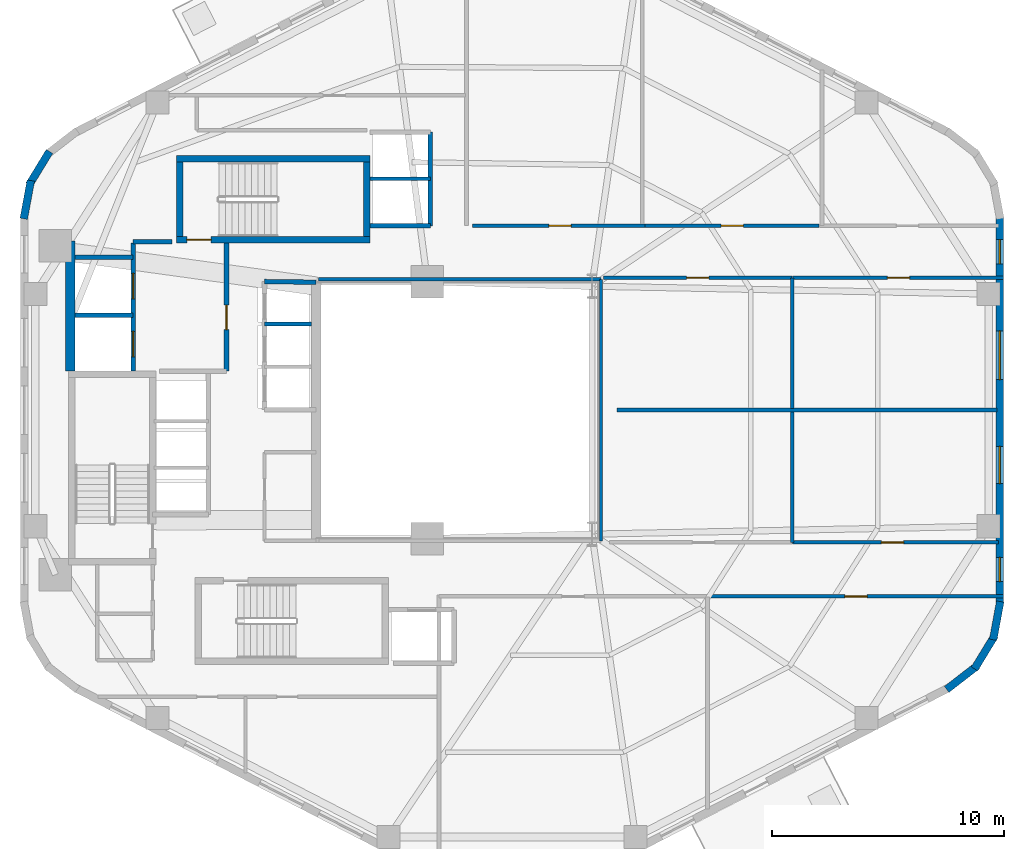
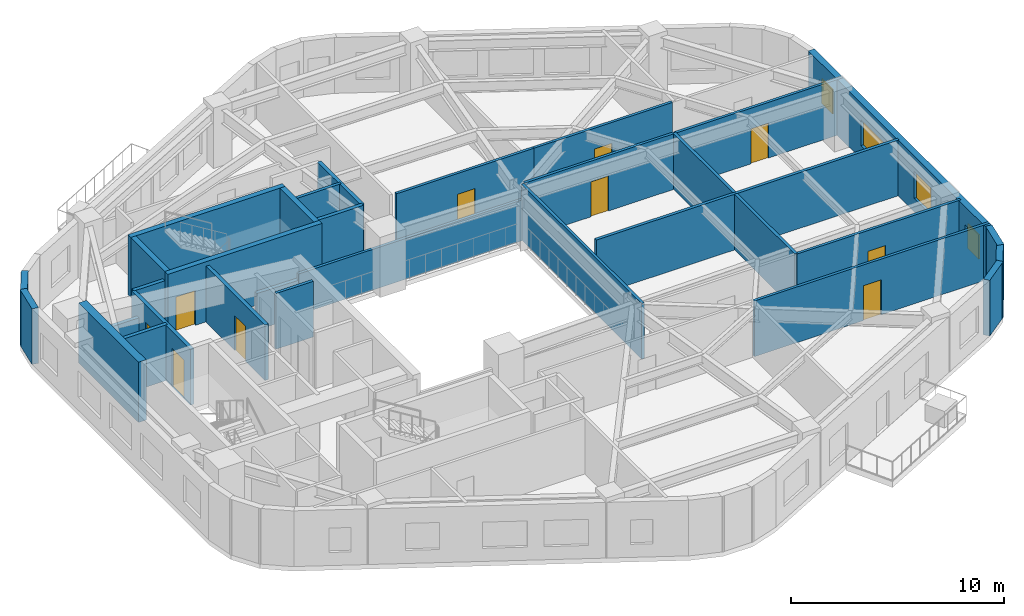
# One storey, part 4 of 8: 32 walls, 10 doors, 4 windows, 14 openings.
"""IFC4 building model written with IfcOpenShell, lengths in metres."""

import ifcopenshell
import ifcopenshell.guid

model = None  # the IFC model being written
_history = None  # IfcOwnerHistory: only IFC2X3 demands one
_inside = {}  # id of a spatial element -> (the spatial element, [elements in it])
_under = {}  # id of a project, library or spatial element -> (it, [spatial elements below it])
_declared = {}  # id of a project -> (the project, [libraries it declares])
_typed = {}  # id of a type object -> (the type object, [elements of that type])
_made_of = {}  # id of a material, layer set ... -> (it, [elements and type objects made of it])


def new_model(schema):
    """Start an empty IFC model of exactly this schema.

    Asked for "IFC4X3", IfcOpenShell would pick the latest addendum, in which some entities
    have other attributes; the version numbers below select the first issue.
    IFC2X3 requires an IfcOwnerHistory on every rooted entity: one is made here for all.
    """
    global model, _history
    if schema == "IFC4X3":
        model = ifcopenshell.file(schema_version=(4, 3, 0, 0))
    else:
        model = ifcopenshell.file(schema=schema)
    _inside.clear()
    _under.clear()
    _declared.clear()
    _typed.clear()
    _made_of.clear()
    _history = None
    if model.schema == "IFC2X3":
        org = make("IfcOrganization", Name="unknown")
        user = make(
            "IfcPersonAndOrganization",
            ThePerson=make("IfcPerson", FamilyName="unknown"),
            TheOrganization=org,
        )
        app = make(
            "IfcApplication",
            ApplicationDeveloper=org,
            Version="unknown",
            ApplicationFullName="unknown",
            ApplicationIdentifier="unknown",
        )
        _history = make(
            "IfcOwnerHistory",
            OwningUser=user,
            OwningApplication=app,
            ChangeAction="ADDED",
            CreationDate=0,
        )
    return model


def make(cls, **values):
    """One entity of the class cls with the attributes given. An attribute that is None is left unset."""
    return model.create_entity(
        cls, **{name: value for name, value in values.items() if value is not None}
    )


def rooted(cls, **values):
    """An entity with a GlobalId (a new one), such as an element, a storey or a relation."""
    return make(cls, GlobalId=ifcopenshell.guid.new(), OwnerHistory=_history, **values)


def si_unit(unit_type, name, prefix=None):
    """IfcSIUnit, for example si_unit("LENGTHUNIT", "METRE", prefix="MILLI")."""
    return make("IfcSIUnit", UnitType=unit_type, Prefix=prefix, Name=name)


def assignment(units):
    """IfcUnitAssignment: the units of a project."""
    return None if units is None else make("IfcUnitAssignment", Units=units)


def point(xyz):
    """IfcCartesianPoint."""
    return None if xyz is None else make("IfcCartesianPoint", Coordinates=xyz)


def direction(xyz):
    """IfcDirection."""
    return None if xyz is None else make("IfcDirection", DirectionRatios=xyz)


def frame(location, z_axis=None, x_axis=None):
    """IfcAxis2Placement3D, a coordinate frame: its origin and axes. An axis left out is left unset."""
    return make(
        "IfcAxis2Placement3D",
        Location=point(location),
        Axis=direction(z_axis),
        RefDirection=direction(x_axis),
    )


def frame_2d(location, x_axis=None):
    """IfcAxis2Placement2D, a coordinate frame in the plane: its origin and x axis."""
    return make(
        "IfcAxis2Placement2D", Location=point(location), RefDirection=direction(x_axis)
    )


def origin():
    """The frame at (0, 0, 0) with its axes left unset."""
    return frame((0.0, 0.0, 0.0))


def place(relative_to, where):
    """IfcLocalPlacement: puts the frame where relative to a parent placement (None: the world)."""
    return make(
        "IfcLocalPlacement", PlacementRelTo=relative_to, RelativePlacement=where
    )


def context(
    kind, dimensions, precision=None, world=None, true_north=None, identifier=None
):
    """IfcGeometricRepresentationContext, for example the 3D "Model" context."""
    return make(
        "IfcGeometricRepresentationContext",
        ContextIdentifier=identifier,
        ContextType=kind,
        CoordinateSpaceDimension=dimensions,
        Precision=precision,
        WorldCoordinateSystem=world,
        TrueNorth=true_north,
    )


def subcontext(parent, identifier, kind, view, scale=None):
    """IfcGeometricRepresentationSubContext, for example "Body" below "Model"."""
    return make(
        "IfcGeometricRepresentationSubContext",
        ContextIdentifier=identifier,
        ContextType=kind,
        ParentContext=parent,
        TargetScale=scale,
        TargetView=view,
    )


def project(units=None, contexts=None):
    """IfcProject with its units and contexts."""
    return rooted(
        "IfcProject",
        Name="project",
        RepresentationContexts=contexts,
        UnitsInContext=assignment(units),
    )


def spatial(cls, under=None, at=None, **own):
    """A site, building, storey or space (cls), placed at a placement, below another one or the project."""
    s = rooted(cls, ObjectPlacement=at, **own)
    if under is not None:
        _under.setdefault(under.id(), (under, []))[1].append(s)
    return s


def profile(cls, at=None, kind="AREA", **sizes):
    """A parametric profile (cls). Its sizes go by their IFC names, for example OverallWidth=200.0."""
    return make(cls, ProfileType=kind, Position=at, **sizes)


def rectangle(**sizes):
    """IfcRectangleProfileDef."""
    return profile("IfcRectangleProfileDef", **sizes)


def extrude(swept, where, along, depth):
    """IfcExtrudedAreaSolid: the profile swept, set in the frame where, extruded along a direction by depth."""
    return make(
        "IfcExtrudedAreaSolid",
        SweptArea=swept,
        Position=where,
        ExtrudedDirection=direction(along),
        Depth=depth,
    )


def shape(context_of_items, identifier, shape_type, items):
    """IfcShapeRepresentation: the items that make up one representation, for example the "Body"."""
    return make(
        "IfcShapeRepresentation",
        ContextOfItems=context_of_items,
        RepresentationIdentifier=identifier,
        RepresentationType=shape_type,
        Items=items,
    )


def material(Name=None, Category=None):
    """IfcMaterial."""
    return make("IfcMaterial", Name=Name, Category=Category)


def layer(
    of_material, thickness, ventilated=None, Name=None, Category=None, Priority=None
):
    """IfcMaterialLayer: one layer of a wall or slab, of a material (None: an air gap)."""
    return make(
        "IfcMaterialLayer",
        Material=of_material,
        LayerThickness=thickness,
        IsVentilated=ventilated,
        Name=Name,
        Category=Category,
        Priority=Priority,
    )


def layer_set(layers, Name=None):
    """IfcMaterialLayerSet."""
    return make("IfcMaterialLayerSet", MaterialLayers=layers, LayerSetName=Name)


def made_of(thing, what):
    """Note that an element or type object is made of a material, layer set ...; save() writes the relation."""
    if what is not None:
        _made_of.setdefault(what.id(), (what, []))[1].append(thing)
    return thing


def type_object(cls, material=None, **own):
    """A type object (cls), such as IfcWallType, which elements share."""
    return made_of(rooted(cls, **own), material)


def element(
    cls,
    number,
    at=None,
    inside=None,
    cuts=None,
    type_object=None,
    material=None,
    context=None,
    identifier="Body",
    shape_type=None,
    held_by="IfcProductDefinitionShape",
    body=None,
    shapes=None,
    **own,
):
    """One element of the class cls, such as IfcWall. Its Tag is "e" and its number.

    at: its placement. inside: the storey or other place that contains it. cuts: it is an
    opening in that element (IfcRelVoidsElement). A single representation is given by context,
    identifier, shape_type and body (its items); several are given by shapes. held_by: the class
    of the entity that holds the representations. save() writes the other relations.
    """
    e = rooted(cls, Tag="e%d" % number, ObjectPlacement=at, **own)
    if body is not None:
        shapes = [shape(context, identifier, shape_type, body)]
    if shapes is not None:
        e.Representation = make(held_by, Representations=shapes)
    if inside is not None:
        _inside.setdefault(inside.id(), (inside, []))[1].append(e)
    if cuts is not None:
        rooted(
            "IfcRelVoidsElement", RelatingBuildingElement=cuts, RelatedOpeningElement=e
        )
    if type_object is not None:
        _typed.setdefault(type_object.id(), (type_object, []))[1].append(e)
    return made_of(e, material)


def fill(opening, filler):
    """IfcRelFillsElement: the door or window that sits in an opening."""
    return rooted(
        "IfcRelFillsElement",
        RelatingOpeningElement=opening,
        RelatedBuildingElement=filler,
    )


def aggregate(whole, parts):
    """IfcRelAggregates: a whole, such as a stair, and the parts it consists of."""
    return rooted("IfcRelAggregates", RelatingObject=whole, RelatedObjects=parts)


def save(model, path):
    """Write the relations noted so far, then the file.

    IfcRelAggregates (storeys below a building ...), IfcRelContainedInSpatialStructure (elements
    in a storey), IfcRelDefinesByType, IfcRelAssociatesMaterial and IfcRelDeclares: one each for
    every whole, place, type object, material and project.
    """
    for whole, parts in _under.values():
        aggregate(whole, parts)
    for where, things in _inside.values():
        rooted(
            "IfcRelContainedInSpatialStructure",
            RelatedElements=things,
            RelatingStructure=where,
        )
    for kind, things in _typed.values():
        rooted("IfcRelDefinesByType", RelatedObjects=things, RelatingType=kind)
    for what, things in _made_of.values():
        rooted("IfcRelAssociatesMaterial", RelatedObjects=things, RelatingMaterial=what)
    for by, libraries in _declared.values():
        rooted("IfcRelDeclares", RelatingContext=by, RelatedDefinitions=libraries)
    model.write(path)


model = new_model("IFC4")

# Units and contexts
model_context = context("Model", 3, precision=1e-05, world=origin(), true_north=direction((0.0, 1.0)))
body_context = subcontext(model_context, "Body", "Model", "MODEL_VIEW")
ifc_project = project(units=[si_unit("LENGTHUNIT", "METRE"), si_unit("AREAUNIT", "SQUARE_METRE"), si_unit("VOLUMEUNIT", "CUBIC_METRE"), si_unit("PLANEANGLEUNIT", "RADIAN"), si_unit("MASSUNIT", "GRAM", prefix="KILO"), si_unit("THERMODYNAMICTEMPERATUREUNIT", "KELVIN"), si_unit("POWERUNIT", "WATT")], contexts=[model_context])

# Site, building, storey
site_placement = place(None, origin())
site = spatial("IfcSite", under=ifc_project, at=site_placement, CompositionType="ELEMENT")
building_placement = place(site_placement, origin())
building = spatial("IfcBuilding", under=site, at=building_placement, Name="Skarre Station Tower", CompositionType="ELEMENT")
storey_placement = place(building_placement, frame((0.0, 0.0, 153.300048828125)))
storey = spatial("IfcBuildingStorey", under=building, at=storey_placement, Name="L41", CompositionType="ELEMENT", Elevation=153.300048828125)

# Walls
ifc_material_1 = material(Name="Acoustic Steel-Stud Gypsum Partition", Category="steel")
ifc_layer_1 = layer(ifc_material_1, 0.14990234375, Name="Acoustic Steel-Stud Gypsum Partition")
ifc_layer_set_1 = layer_set([ifc_layer_1], Name="Acoustic Steel-Stud Gypsum Partition")
wall_type_1 = type_object("IfcWallType", Name="Fire-Rated Corridor Acoustic Partition 150", PredefinedType="PARTITIONING", material=ifc_layer_set_1)
wall_1_placement = place(storey_placement, frame((39.840087890625, 29.639892578125, 0.0), z_axis=(0.0, 0.0, 1.0), x_axis=(-1.0, 0.0, 0.0)))
element("IfcWall", 1, at=wall_1_placement, inside=storey, type_object=wall_type_1, Name="L41 Interior Partition WL-PT-L41-ATRW-N", PredefinedType="PARTITIONING", context=body_context, shape_type="SweptSolid", body=[
    extrude(rectangle(XDim=12.2001953125, YDim=0.14990234375, at=frame_2d((6.10009765625, 0.0))), origin(), (0.0, 0.0, 1.0), 2.3310546875),
])
wall_2_placement = place(storey_placement, frame((39.840087890625, 18.360107421875, 0.0), z_axis=(0.0, 0.0, 1.0), x_axis=(0.0, 1.0, 0.0)))
element("IfcWall", 2, at=wall_2_placement, inside=storey, type_object=wall_type_1, Name="L41 Interior Partition WL-PT-L41-ATRW-E", PredefinedType="PARTITIONING", context=body_context, shape_type="SweptSolid", body=[
    extrude(rectangle(XDim=11.27978515625, YDim=0.14990234375, at=frame_2d((5.639892578125, 0.0))), origin(), (0.0, 0.0, 1.0), 3.18994140625),
])

# Wall, opening, door
wall_3_placement = place(storey_placement, frame((41.737060546875, 31.9599609375, 0.0), z_axis=(0.0, 0.0, 1.0), x_axis=(-1.0, 0.0, 0.0)))
wall_3 = element("IfcWall", 3, at=wall_3_placement, inside=storey, type_object=wall_type_1, Name="L41 Interior Partition WL-PT-L41-NW1-CW", PredefinedType="PARTITIONING", context=body_context, shape_type="SweptSolid", body=[
    extrude(rectangle(XDim=7.447021484375, YDim=0.14990234375, at=frame_2d((3.7236328125, 0.0))), origin(), (0.0, 0.0, 1.0), 3.18994140625),
])
opening_1_placement = place(wall_3_placement, frame((3.18701171875, 0.0, 0.0)))
opening_1 = element("IfcOpeningElement", 4, at=opening_1_placement, cuts=wall_3, Name="Opening DR-FD60", PredefinedType="OPENING", context=body_context, shape_type="SweptSolid", body=[
    extrude(rectangle(XDim=0.9599609375, YDim=2.0, at=frame_2d((0.47998046875, 1.0))), frame((0.0, 0.0849609375, 0.0), z_axis=(0.0, -1.0, 0.0), x_axis=(1.0, 0.0, 0.0)), (0.0, 0.0, 1.0), 0.169921875),
])
ifc_material_2 = material(Name="Nordic White-Oak Veneer Solid-Core Fire Leaf", Category="wood")
door_type_1 = type_object("IfcDoorType", Name="Corridor Suite Entry Fire Door FD60 960x2150", OperationType="SINGLE_SWING_LEFT", PredefinedType="DOOR", material=ifc_material_2)
door_1_placement = place(opening_1_placement, origin())
door_1 = element("IfcDoor", 5, at=door_1_placement, inside=storey, type_object=door_type_1, Name="L41 NW1 Entry Door", OperationType="SINGLE_SWING_LEFT", OverallHeight=2.0, OverallWidth=0.9599609375, PredefinedType="DOOR", context=body_context, shape_type="SweptSolid", body=[
    extrude(rectangle(XDim=0.9599609375, YDim=2.0, at=frame_2d((0.47998046875, 1.0))), frame((0.0, 0.02490234375, 0.0), z_axis=(0.0, -1.0, 0.0), x_axis=(1.0, 0.0, 0.0)), (0.0, 0.0, 1.0), 0.050048828125),
])
fill(opening_1, door_1)

wall_4_placement = place(storey_placement, frame((49.2509765625, 31.9599609375, 0.0), z_axis=(0.0, 0.0, 1.0), x_axis=(-1.0, 0.0, 0.0)))
wall_4 = element("IfcWall", 6, at=wall_4_placement, inside=storey, type_object=wall_type_1, Name="L41 Interior Partition WL-PT-L41-NW2-CW", PredefinedType="PARTITIONING", context=body_context, shape_type="SweptSolid", body=[
    extrude(rectangle(XDim=7.50390625, YDim=0.14990234375, at=frame_2d((3.751953125, 0.0))), origin(), (0.0, 0.0, 1.0), 3.18994140625),
])
opening_2_placement = place(wall_4_placement, frame((3.27197265625, 0.0, 0.0)))
opening_2 = element("IfcOpeningElement", 7, at=opening_2_placement, cuts=wall_4, Name="Opening DR-FD60", PredefinedType="OPENING", context=body_context, shape_type="SweptSolid", body=[
    extrude(rectangle(XDim=0.9599609375, YDim=2.0, at=frame_2d((0.47998046875, 1.0))), frame((0.0, 0.0849609375, 0.0), z_axis=(0.0, -1.0, 0.0), x_axis=(1.0, 0.0, 0.0)), (0.0, 0.0, 1.0), 0.169921875),
])
door_2_placement = place(opening_2_placement, origin())
door_2 = element("IfcDoor", 8, at=door_2_placement, inside=storey, type_object=door_type_1, Name="L41 NW2 Entry Door", OperationType="SINGLE_SWING_LEFT", OverallHeight=2.0, OverallWidth=0.9599609375, PredefinedType="DOOR", context=body_context, shape_type="SweptSolid", body=[
    extrude(rectangle(XDim=0.9599609375, YDim=2.0, at=frame_2d((0.47998046875, 1.0))), frame((0.0, 0.02490234375, 0.0), z_axis=(0.0, -1.0, 0.0), x_axis=(1.0, 0.0, 0.0)), (0.0, 0.0, 1.0), 0.050048828125),
])
fill(opening_2, door_2)

wall_5_placement = place(storey_placement, frame((39.949951171875, 29.7099609375, 0.0), z_axis=(0.0, 0.0, 1.0), x_axis=(1.0, 0.0, 0.0)))
wall_5 = element("IfcWall", 9, at=wall_5_placement, inside=storey, type_object=wall_type_1, Name="L41 Interior Partition WL-PT-L41-EWN1-CW", PredefinedType="PARTITIONING", context=body_context, shape_type="SweptSolid", body=[
    extrude(rectangle(XDim=8.130126953125, YDim=0.14990234375, at=frame_2d((4.06494140625, 0.0))), origin(), (0.0, 0.0, 1.0), 3.18994140625),
])
opening_3_placement = place(wall_5_placement, frame((3.5849609375, 0.0, 0.0)))
opening_3 = element("IfcOpeningElement", 10, at=opening_3_placement, cuts=wall_5, Name="Opening DR-FD60", PredefinedType="OPENING", context=body_context, shape_type="SweptSolid", body=[
    extrude(rectangle(XDim=0.9599609375, YDim=2.0, at=frame_2d((0.47998046875, 1.0))), frame((0.0, 0.0849609375, 0.0), z_axis=(0.0, -1.0, 0.0), x_axis=(1.0, 0.0, 0.0)), (0.0, 0.0, 1.0), 0.169921875),
])
door_3_placement = place(opening_3_placement, origin())
door_3 = element("IfcDoor", 11, at=door_3_placement, inside=storey, type_object=door_type_1, Name="L41 EWN1 Entry Door", OperationType="SINGLE_SWING_LEFT", OverallHeight=2.0, OverallWidth=0.9599609375, PredefinedType="DOOR", context=body_context, shape_type="SweptSolid", body=[
    extrude(rectangle(XDim=0.9599609375, YDim=2.0, at=frame_2d((0.47998046875, 1.0))), frame((0.0, 0.02490234375, 0.0), z_axis=(0.0, -1.0, 0.0), x_axis=(1.0, 0.0, 0.0)), (0.0, 0.0, 1.0), 0.050048828125),
])
fill(opening_3, door_3)

wall_6_placement = place(storey_placement, frame((48.110107421875, 29.7099609375, 0.0), z_axis=(0.0, 0.0, 1.0), x_axis=(1.0, 0.0, 0.0)))
wall_6 = element("IfcWall", 12, at=wall_6_placement, inside=storey, type_object=wall_type_1, Name="L41 Interior Partition WL-PT-L41-EWN2-CW", PredefinedType="PARTITIONING", context=body_context, shape_type="SweptSolid", body=[
    extrude(rectangle(XDim=9.097900390625, YDim=0.14990234375, at=frame_2d((4.548828125, 0.0))), origin(), (0.0, 0.0, 1.0), 3.18994140625),
])
opening_4_placement = place(wall_6_placement, frame((4.083984375, 0.0, 0.0)))
opening_4 = element("IfcOpeningElement", 13, at=opening_4_placement, cuts=wall_6, Name="Opening DR-FD60", PredefinedType="OPENING", context=body_context, shape_type="SweptSolid", body=[
    extrude(rectangle(XDim=0.9599609375, YDim=2.0, at=frame_2d((0.47998046875, 1.0))), frame((0.0, 0.0849609375, 0.0), z_axis=(0.0, -1.0, 0.0), x_axis=(1.0, 0.0, 0.0)), (0.0, 0.0, 1.0), 0.169921875),
])
door_4_placement = place(opening_4_placement, origin())
door_4 = element("IfcDoor", 14, at=door_4_placement, inside=storey, type_object=door_type_1, Name="L41 EWN2 Entry Door", OperationType="SINGLE_SWING_LEFT", OverallHeight=2.0, OverallWidth=0.9599609375, PredefinedType="DOOR", context=body_context, shape_type="SweptSolid", body=[
    extrude(rectangle(XDim=0.9599609375, YDim=2.0, at=frame_2d((0.47998046875, 1.0))), frame((0.0, 0.02490234375, 0.0), z_axis=(0.0, -1.0, 0.0), x_axis=(1.0, 0.0, 0.0)), (0.0, 0.0, 1.0), 0.050048828125),
])
fill(opening_4, door_4)

wall_7_placement = place(storey_placement, frame((56.988037109375, 18.2900390625, 0.0), z_axis=(0.0, 0.0, 1.0), x_axis=(-1.0, 0.0, 0.0)))
wall_7 = element("IfcWall", 15, at=wall_7_placement, inside=storey, type_object=wall_type_1, Name="L41 Interior Partition WL-PT-L41-EWS2-CW", PredefinedType="PARTITIONING", context=body_context, shape_type="SweptSolid", body=[
    extrude(rectangle(XDim=8.887939453125, YDim=0.14990234375, at=frame_2d((4.44384765625, 0.0))), origin(), (0.0, 0.0, 1.0), 3.18994140625),
])
opening_5_placement = place(wall_7_placement, frame((4.083984375, 0.0, 0.0)))
opening_5 = element("IfcOpeningElement", 16, at=opening_5_placement, cuts=wall_7, Name="Opening DR-FD60", PredefinedType="OPENING", context=body_context, shape_type="SweptSolid", body=[
    extrude(rectangle(XDim=0.9599609375, YDim=2.0, at=frame_2d((0.47998046875, 1.0))), frame((0.0, 0.0849609375, 0.0), z_axis=(0.0, -1.0, 0.0), x_axis=(1.0, 0.0, 0.0)), (0.0, 0.0, 1.0), 0.169921875),
])
door_5_placement = place(opening_5_placement, origin())
door_5 = element("IfcDoor", 17, at=door_5_placement, inside=storey, type_object=door_type_1, Name="L41 EWS2 Entry Door", OperationType="SINGLE_SWING_LEFT", OverallHeight=2.0, OverallWidth=0.9599609375, PredefinedType="DOOR", context=body_context, shape_type="SweptSolid", body=[
    extrude(rectangle(XDim=0.9599609375, YDim=2.0, at=frame_2d((0.47998046875, 1.0))), frame((0.0, 0.02490234375, 0.0), z_axis=(0.0, -1.0, 0.0), x_axis=(1.0, 0.0, 0.0)), (0.0, 0.0, 1.0), 0.050048828125),
])
fill(opening_5, door_5)

wall_8_placement = place(storey_placement, frame((44.45703125, 15.9599609375, 0.0), z_axis=(0.0, 0.0, 1.0), x_axis=(1.0, 0.0, 0.0)))
wall_8 = element("IfcWall", 18, at=wall_8_placement, inside=storey, type_object=wall_type_1, Name="L41 Interior Partition WL-PT-L41-SW2-CW", PredefinedType="PARTITIONING", context=body_context, shape_type="SweptSolid", body=[
    extrude(rectangle(XDim=12.7509765625, YDim=0.14990234375, at=frame_2d((6.37548828125, 0.0))), origin(), (0.0, 0.0, 1.0), 3.18994140625),
])
opening_6_placement = place(wall_8_placement, frame((5.908935546875, 0.0, 0.0)))
opening_6 = element("IfcOpeningElement", 19, at=opening_6_placement, cuts=wall_8, Name="Opening DR-FD60", PredefinedType="OPENING", context=body_context, shape_type="SweptSolid", body=[
    extrude(rectangle(XDim=0.9599609375, YDim=2.0, at=frame_2d((0.47998046875, 1.0))), frame((0.0, 0.0849609375, 0.0), z_axis=(0.0, -1.0, 0.0), x_axis=(1.0, 0.0, 0.0)), (0.0, 0.0, 1.0), 0.169921875),
])
door_6_placement = place(opening_6_placement, origin())
door_6 = element("IfcDoor", 20, at=door_6_placement, inside=storey, type_object=door_type_1, Name="L41 SW2 Entry Door", OperationType="SINGLE_SWING_LEFT", OverallHeight=2.0, OverallWidth=0.9599609375, PredefinedType="DOOR", context=body_context, shape_type="SweptSolid", body=[
    extrude(rectangle(XDim=0.9599609375, YDim=2.0, at=frame_2d((0.47998046875, 1.0))), frame((0.0, 0.02490234375, 0.0), z_axis=(0.0, -1.0, 0.0), x_axis=(1.0, 0.0, 0.0)), (0.0, 0.0, 1.0), 0.050048828125),
])
fill(opening_6, door_6)

# Wall, openings, windows
ifc_material_3 = material(Name="Precast concrete C45/55", Category="concrete")
ifc_layer_2 = layer(ifc_material_3, 0.340087890625, Name="Precast concrete C45/55")
ifc_layer_set_2 = layer_set([ifc_layer_2], Name="Precast concrete C45/55")
wall_type_2 = type_object("IfcWallType", Name="Nordic Honed Precast Facet Wall 340", PredefinedType="STANDARD", material=ifc_layer_set_2)
wall_9_placement = place(storey_placement, frame((57.048095703125, 32.35205078125, 0.0), z_axis=(0.0, 0.0, 1.0), x_axis=(0.0, -1.0, 0.0)))
wall_9 = element("IfcWall", 21, at=wall_9_placement, inside=storey, type_object=wall_type_2, Name="L41 Facet 5 Nordic Precast Masonry Wall", PredefinedType="STANDARD", context=body_context, shape_type="SweptSolid", body=[
    extrude(rectangle(XDim=16.7041015625, YDim=0.340087890625, at=frame_2d((8.35205078125, 0.0))), origin(), (0.0, 0.0, 1.0), 3.18994140625),
])
opening_7_placement = place(wall_9_placement, frame((0.991943359375, 0.0, 0.75)))
opening_7 = element("IfcOpeningElement", 22, at=opening_7_placement, cuts=wall_9, Name="Opening WN-SLT", PredefinedType="OPENING", context=body_context, shape_type="SweptSolid", body=[
    extrude(rectangle(XDim=1.050048828125, YDim=1.39990234375, at=frame_2d((0.52490234375, 0.699951171875))), frame((0.0, 0.179931640625, 0.0), z_axis=(0.0, -1.0, 0.0), x_axis=(1.0, 0.0, 0.0)), (0.0, 0.0, 1.0), 0.360107421875),
])
opening_8_placement = place(wall_9_placement, frame((4.93505859375, 0.0, 0.75)))
opening_8 = element("IfcOpeningElement", 23, at=opening_8_placement, cuts=wall_9, Name="Opening WN-Z2B", PredefinedType="OPENING", context=body_context, shape_type="SweptSolid", body=[
    extrude(rectangle(XDim=2.10009765625, YDim=1.5, at=frame_2d((1.050048828125, 0.75))), frame((0.0, 0.179931640625, 0.0), z_axis=(0.0, -1.0, 0.0), x_axis=(1.0, 0.0, 0.0)), (0.0, 0.0, 1.0), 0.360107421875),
])
opening_9_placement = place(wall_9_placement, frame((9.9189453125, 0.0, 0.75)))
opening_9 = element("IfcOpeningElement", 24, at=opening_9_placement, cuts=wall_9, Name="Opening WN-Z2A", PredefinedType="OPENING", context=body_context, shape_type="SweptSolid", body=[
    extrude(rectangle(XDim=1.60009765625, YDim=1.550048828125, at=frame_2d((0.800048828125, 0.77490234375))), frame((0.0, 0.179931640625, 0.0), z_axis=(0.0, -1.0, 0.0), x_axis=(1.0, 0.0, 0.0)), (0.0, 0.0, 1.0), 0.360107421875),
])
opening_10_placement = place(wall_9_placement, frame((14.701904296875, 0.0, 0.75)))
opening_10 = element("IfcOpeningElement", 25, at=opening_10_placement, cuts=wall_9, Name="Opening WN-SLT", PredefinedType="OPENING", context=body_context, shape_type="SweptSolid", body=[
    extrude(rectangle(XDim=1.050048828125, YDim=1.39990234375, at=frame_2d((0.52490234375, 0.699951171875))), frame((0.0, 0.179931640625, 0.0), z_axis=(0.0, -1.0, 0.0), x_axis=(1.0, 0.0, 0.0)), (0.0, 0.0, 1.0), 0.360107421875),
])
ifc_material_4 = material(Name="Low-Iron Triple Glazing with Bronze Anodized Frame", Category="glass")
window_type_1 = type_object("IfcWindowType", Name="Nordic Corner Slot Window 1050x1400", PartitioningType="SINGLE_PANEL", PredefinedType="WINDOW", material=ifc_material_4)
window_1_placement = place(opening_7_placement, origin())
window_1 = element("IfcWindow", 26, at=window_1_placement, inside=storey, type_object=window_type_1, Name="L41 Facade Window WL-FAC-L41-F5-1", OverallHeight=1.39990234375, OverallWidth=1.050048828125, PartitioningType="SINGLE_PANEL", PredefinedType="WINDOW", context=body_context, shape_type="SweptSolid", body=[
    extrude(rectangle(XDim=1.050048828125, YDim=1.39990234375, at=frame_2d((0.52490234375, 0.699951171875))), frame((0.0, 0.030029296875, 0.0), z_axis=(0.0, -1.0, 0.0), x_axis=(1.0, 0.0, 0.0)), (0.0, 0.0, 1.0), 0.06005859375),
])
fill(opening_7, window_1)
window_2_placement = place(opening_10_placement, origin())
window_2 = element("IfcWindow", 27, at=window_2_placement, inside=storey, type_object=window_type_1, Name="L41 Facade Window WL-FAC-L41-F5-4", OverallHeight=1.39990234375, OverallWidth=1.050048828125, PartitioningType="SINGLE_PANEL", PredefinedType="WINDOW", context=body_context, shape_type="SweptSolid", body=[
    extrude(rectangle(XDim=1.050048828125, YDim=1.39990234375, at=frame_2d((0.52490234375, 0.699951171875))), frame((0.0, 0.030029296875, 0.0), z_axis=(0.0, -1.0, 0.0), x_axis=(1.0, 0.0, 0.0)), (0.0, 0.0, 1.0), 0.06005859375),
])
fill(opening_10, window_2)
window_type_2 = type_object("IfcWindowType", Name="Nordic Residential Tall Window 1600x1550", PartitioningType="SINGLE_PANEL", PredefinedType="WINDOW", material=ifc_material_4)
window_3_placement = place(opening_9_placement, origin())
window_3 = element("IfcWindow", 28, at=window_3_placement, inside=storey, type_object=window_type_2, Name="L41 Facade Window WL-FAC-L41-F5-3", OverallHeight=1.550048828125, OverallWidth=1.60009765625, PartitioningType="SINGLE_PANEL", PredefinedType="WINDOW", context=body_context, shape_type="SweptSolid", body=[
    extrude(rectangle(XDim=1.60009765625, YDim=1.550048828125, at=frame_2d((0.800048828125, 0.77490234375))), frame((0.0, 0.030029296875, 0.0), z_axis=(0.0, -1.0, 0.0), x_axis=(1.0, 0.0, 0.0)), (0.0, 0.0, 1.0), 0.06005859375),
])
fill(opening_9, window_3)
window_type_3 = type_object("IfcWindowType", Name="Nordic Residential Twin Window 2100x1500", PartitioningType="SINGLE_PANEL", PredefinedType="WINDOW", material=ifc_material_4)
window_4_placement = place(opening_8_placement, origin())
window_4 = element("IfcWindow", 29, at=window_4_placement, inside=storey, type_object=window_type_3, Name="L41 Facade Window WL-FAC-L41-F5-2", OverallHeight=1.5, OverallWidth=2.10009765625, PartitioningType="SINGLE_PANEL", PredefinedType="WINDOW", context=body_context, shape_type="SweptSolid", body=[
    extrude(rectangle(XDim=2.10009765625, YDim=1.5, at=frame_2d((1.050048828125, 0.75))), frame((0.0, 0.030029296875, 0.0), z_axis=(0.0, -1.0, 0.0), x_axis=(1.0, 0.0, 0.0)), (0.0, 0.0, 1.0), 0.06005859375),
])
fill(opening_8, window_4)

# Walls
ifc_layer_3 = layer(ifc_material_3, 0.330078125, Name="Precast concrete C45/55")
ifc_layer_set_3 = layer_set([ifc_layer_3], Name="Precast concrete C45/55")
wall_type_3 = type_object("IfcWallType", Name="Nordic Rounded Corner Precast Wall 330", PredefinedType="STANDARD", material=ifc_layer_set_3)
wall_10_placement = place(storey_placement, frame((14.931884765625, 32.258056640625, 0.0), z_axis=(0.0, 0.0, 1.0), x_axis=(0.181984991895, 0.983301308209, 0.0)))
element("IfcWall", 30, at=wall_10_placement, inside=storey, type_object=wall_type_3, Name="L41 Rounded Corner Precast Wall F2-1", PredefinedType="STANDARD", context=body_context, shape_type="SweptSolid", body=[
    extrude(rectangle(XDim=1.677001953125, YDim=0.330078125, at=frame_2d((0.83837890625, 0.0))), origin(), (0.0, 0.0, 1.0), 3.18994140625),
])
wall_11_placement = place(storey_placement, frame((15.169921875, 33.73193359375, 0.0), z_axis=(0.0, 0.0, 1.0), x_axis=(0.520519429557, 0.853849824883, 0.0)))
element("IfcWall", 31, at=wall_11_placement, inside=storey, type_object=wall_type_3, Name="L41 Rounded Corner Precast Wall F2-2", PredefinedType="STANDARD", context=body_context, shape_type="SweptSolid", body=[
    extrude(rectangle(XDim=1.67724609375, YDim=0.330078125, at=frame_2d((0.838623046875, 0.0))), origin(), (0.0, 0.0, 1.0), 3.18994140625),
])
wall_12_placement = place(storey_placement, frame((57.068115234375, 15.741943359375, 0.0), z_axis=(0.0, 0.0, 1.0), x_axis=(-0.181984991895, -0.983301308209, 0.0)))
element("IfcWall", 32, at=wall_12_placement, inside=storey, type_object=wall_type_3, Name="L41 Rounded Corner Precast Wall F5-1", PredefinedType="STANDARD", context=body_context, shape_type="SweptSolid", body=[
    extrude(rectangle(XDim=1.677001953125, YDim=0.330078125, at=frame_2d((0.83837890625, 0.0))), origin(), (0.0, 0.0, 1.0), 3.18994140625),
])
wall_13_placement = place(storey_placement, frame((56.830078125, 14.26806640625, 0.0), z_axis=(0.0, 0.0, 1.0), x_axis=(-0.520519429557, -0.853849824883, 0.0)))
element("IfcWall", 33, at=wall_13_placement, inside=storey, type_object=wall_type_3, Name="L41 Rounded Corner Precast Wall F5-2", PredefinedType="STANDARD", context=body_context, shape_type="SweptSolid", body=[
    extrude(rectangle(XDim=1.67724609375, YDim=0.330078125, at=frame_2d((0.838623046875, 0.0))), origin(), (0.0, 0.0, 1.0), 3.18994140625),
])
wall_14_placement = place(storey_placement, frame((56.08203125, 12.97607421875, 0.0), z_axis=(0.0, 0.0, 1.0), x_axis=(-0.790621329885, -0.612305408053, 0.0)))
element("IfcWall", 34, at=wall_14_placement, inside=storey, type_object=wall_type_3, Name="L41 Rounded Corner Precast Wall F5-3", PredefinedType="STANDARD", context=body_context, shape_type="SweptSolid", body=[
    extrude(rectangle(XDim=1.67578125, YDim=0.330078125, at=frame_2d((0.837890625, 0.0))), origin(), (0.0, 0.0, 1.0), 3.18994140625),
])

# Wall, opening, door
ifc_material_5 = material(Name="Concrete C50/60", Category="concrete")
ifc_layer_4 = layer(ifc_material_5, 0.280029296875, Name="Concrete C50/60")
ifc_layer_set_4 = layer_set([ifc_layer_4], Name="Concrete C50/60")
wall_type_4 = type_object("IfcWallType", Name="RC Core Shear Wall 280", PredefinedType="SHEAR", material=ifc_layer_set_4)
wall_15_placement = place(storey_placement, frame((21.52001953125, 31.360107421875, 0.0), z_axis=(0.0, 0.0, 1.0), x_axis=(1.0, 0.0, 0.0)))
wall_15 = element("IfcWall", 35, at=wall_15_placement, inside=storey, type_object=wall_type_4, Name="L41 Stair ST-3 South Shear Wall", PredefinedType="SHEAR", context=body_context, shape_type="SweptSolid", body=[
    extrude(rectangle(XDim=8.35986328125, YDim=0.280029296875, at=frame_2d((4.179931640625, 0.0))), origin(), (0.0, 0.0, 1.0), 3.449951171875),
])
opening_11_placement = place(wall_15_placement, frame((0.449951171875, 0.0, 0.0)))
opening_11 = element("IfcOpeningElement", 36, at=opening_11_placement, cuts=wall_15, Name="Opening DR-FD90", PredefinedType="OPENING", context=body_context, shape_type="SweptSolid", body=[
    extrude(rectangle(XDim=1.050048828125, YDim=2.0, at=frame_2d((0.52490234375, 1.0))), frame((0.0, 0.14990234375, 0.0), z_axis=(0.0, -1.0, 0.0), x_axis=(1.0, 0.0, 0.0)), (0.0, 0.0, 1.0), 0.300048828125),
])
ifc_material_6 = material(Name="Fire-Rated Insulated Steel Frame & Timber Core Leaf", Category="steel")
door_type_2 = type_object("IfcDoorType", Name="Stair & FSAE Lobby Fire Door FD90 1050x2150", OperationType="SINGLE_SWING_RIGHT", PredefinedType="DOOR", material=ifc_material_6)
door_7_placement = place(opening_11_placement, origin())
door_7 = element("IfcDoor", 37, at=door_7_placement, inside=storey, type_object=door_type_2, Name="L41 Stair ST-3 & FSAE Lobby Direct Exit Door", OperationType="SINGLE_SWING_LEFT", OverallHeight=2.0, OverallWidth=1.050048828125, PredefinedType="DOOR", context=body_context, shape_type="SweptSolid", body=[
    extrude(rectangle(XDim=1.050048828125, YDim=2.0, at=frame_2d((0.52490234375, 1.0))), frame((0.0, 0.02490234375, 0.0), z_axis=(0.0, -1.0, 0.0), x_axis=(1.0, 0.0, 0.0)), (0.0, 0.0, 1.0), 0.050048828125),
])
fill(opening_11, door_7)

# Walls
wall_16_placement = place(storey_placement, frame((29.8798828125, 34.840087890625, 0.0), z_axis=(0.0, 0.0, 1.0), x_axis=(-1.0, 0.0, 0.0)))
element("IfcWall", 38, at=wall_16_placement, inside=storey, type_object=wall_type_4, Name="L41 Stair ST-3 North Shear Wall", PredefinedType="SHEAR", context=body_context, shape_type="SweptSolid", body=[
    extrude(rectangle(XDim=8.35986328125, YDim=0.280029296875, at=frame_2d((4.179931640625, 0.0))), origin(), (0.0, 0.0, 1.0), 3.449951171875),
])
for number, where, z_axis, x_axis, name in (
    (39, (21.659912109375, 34.699951171875, 0.0), (0.0, 0.0, 1.0), (0.0, -1.0, 0.0), "L41 Stair ST-3 West Shear Wall"),
    (40, (29.739990234375, 31.5, 0.0), (0.0, 0.0, 1.0), (0.0, 1.0, 0.0), "L41 Stair ST-3 East Shear Wall"),
):
    element("IfcWall", number, at=place(storey_placement, frame(where, z_axis=z_axis, x_axis=x_axis)), inside=storey, type_object=wall_type_4, Name=name, PredefinedType="SHEAR", context=body_context, shape_type="SweptSolid", body=[
        extrude(rectangle(XDim=3.199951171875, YDim=0.280029296875, at=frame_2d((1.60009765625, 0.0))), origin(), (0.0, 0.0, 1.0), 3.449951171875),
    ])
ifc_material_7 = material(Name="Concrete C60/75", Category="concrete")
ifc_layer_5 = layer(ifc_material_7, 0.419921875, Name="Concrete C60/75")
ifc_layer_set_5 = layer_set([ifc_layer_5], Name="Concrete C60/75")
wall_type_5 = type_object("IfcWallType", Name="RC Core Shear Wall 420", PredefinedType="SHEAR", material=ifc_layer_set_5)
wall_17_placement = place(storey_placement, frame((16.93994140625, 25.679931640625, 0.0), z_axis=(0.0, 0.0, 1.0), x_axis=(0.0, 1.0, 0.0)))
element("IfcWall", 41, at=wall_17_placement, inside=storey, type_object=wall_type_5, Name="L41 Core West-North Shear Wall", PredefinedType="SHEAR", context=body_context, shape_type="SweptSolid", body=[
    extrude(rectangle(XDim=5.6201171875, YDim=0.419921875, at=frame_2d((2.81005859375, 0.0))), origin(), (0.0, 0.0, 1.0), 3.449951171875),
])

# Wall, openings, doors
ifc_material_8 = material(Name="Gypsum Concrete Shaft Assembly C30/37", Category="concrete")
ifc_layer_6 = layer(ifc_material_8, 0.199951171875, Name="Gypsum Concrete Shaft Assembly C30/37")
ifc_layer_set_6 = layer_set([ifc_layer_6], Name="Gypsum Concrete Shaft Assembly C30/37")
wall_type_6 = type_object("IfcWallType", Name="Shaft & Core Fire Partition 200", PredefinedType="PARTITIONING", material=ifc_layer_set_6)
wall_18_placement = place(storey_placement, frame((19.64990234375, 25.679931640625, 0.0), z_axis=(0.0, 0.0, 1.0), x_axis=(0.0, 1.0, 0.0)))
wall_18 = element("IfcWall", 42, at=wall_18_placement, inside=storey, type_object=wall_type_6, Name="L41 Interior Partition WL-PT-L41-FSAE-W", PredefinedType="PARTITIONING", context=body_context, shape_type="SweptSolid", body=[
    extrude(rectangle(XDim=5.5400390625, YDim=0.199951171875, at=frame_2d((2.77001953125, 0.0))), origin(), (0.0, 0.0, 1.0), 3.18994140625),
])
opening_12_placement = place(wall_18_placement, frame((0.6201171875, 0.0, 0.0)))
opening_12 = element("IfcOpeningElement", 43, at=opening_12_placement, cuts=wall_18, Name="Opening LD-FF1", PredefinedType="OPENING", context=body_context, shape_type="SweptSolid", body=[
    extrude(rectangle(XDim=1.10009765625, YDim=2.199951171875, at=frame_2d((0.550048828125, 1.10009765625))), frame((0.0, 0.10986328125, 0.0), z_axis=(0.0, -1.0, 0.0), x_axis=(1.0, 0.0, 0.0)), (0.0, 0.0, 1.0), 0.219970703125),
])
opening_13_placement = place(wall_18_placement, frame((3.1201171875, 0.0, 0.0)))
opening_13 = element("IfcOpeningElement", 44, at=opening_13_placement, cuts=wall_18, Name="Opening LD-FF2", PredefinedType="OPENING", context=body_context, shape_type="SweptSolid", body=[
    extrude(rectangle(XDim=1.10009765625, YDim=2.199951171875, at=frame_2d((0.550048828125, 1.10009765625))), frame((0.0, 0.10986328125, 0.0), z_axis=(0.0, -1.0, 0.0), x_axis=(1.0, 0.0, 0.0)), (0.0, 0.0, 1.0), 0.219970703125),
])
ifc_material_9 = material(Name="Fire-Rated Stainless Steel Grade 316L Sliding Leaves", Category="steel")
door_type_3 = type_object("IfcDoorType", Name="Fire Service Access Elevator Sliding Landing Door 1100x2200", OperationType="SLIDING_TO_LEFT", PredefinedType="DOOR", material=ifc_material_9)
door_8_placement = place(opening_12_placement, origin())
door_8 = element("IfcDoor", 45, at=door_8_placement, inside=storey, type_object=door_type_3, Name="L41 Firefighting Lift LF-FF1 Landing Door", OperationType="SLIDING_TO_LEFT", OverallHeight=2.199951171875, OverallWidth=1.10009765625, PredefinedType="DOOR", context=body_context, shape_type="SweptSolid", body=[
    extrude(rectangle(XDim=1.10009765625, YDim=2.199951171875, at=frame_2d((0.550048828125, 1.10009765625))), frame((0.0, 0.02490234375, 0.0), z_axis=(0.0, -1.0, 0.0), x_axis=(1.0, 0.0, 0.0)), (0.0, 0.0, 1.0), 0.050048828125),
])
fill(opening_12, door_8)
door_9_placement = place(opening_13_placement, origin())
door_9 = element("IfcDoor", 46, at=door_9_placement, inside=storey, type_object=door_type_3, Name="L41 Firefighting Lift LF-FF2 Landing Door", OperationType="SLIDING_TO_LEFT", OverallHeight=2.199951171875, OverallWidth=1.10009765625, PredefinedType="DOOR", context=body_context, shape_type="SweptSolid", body=[
    extrude(rectangle(XDim=1.10009765625, YDim=2.199951171875, at=frame_2d((0.550048828125, 1.10009765625))), frame((0.0, 0.02490234375, 0.0), z_axis=(0.0, -1.0, 0.0), x_axis=(1.0, 0.0, 0.0)), (0.0, 0.0, 1.0), 0.050048828125),
])
fill(opening_13, door_9)

# Wall, opening, door
wall_19_placement = place(storey_placement, frame((23.679931640625, 25.679931640625, 0.0), z_axis=(0.0, 0.0, 1.0), x_axis=(0.0, 1.0, 0.0)))
wall_19 = element("IfcWall", 47, at=wall_19_placement, inside=storey, type_object=wall_type_6, Name="L41 Interior Partition WL-PT-L41-FSAE-E", PredefinedType="PARTITIONING", context=body_context, shape_type="SweptSolid", body=[
    extrude(rectangle(XDim=5.5400390625, YDim=0.199951171875, at=frame_2d((2.77001953125, 0.0))), origin(), (0.0, 0.0, 1.0), 3.18994140625),
])
opening_14_placement = place(wall_19_placement, frame((1.800048828125, 0.0, 0.0)))
opening_14 = element("IfcOpeningElement", 48, at=opening_14_placement, cuts=wall_19, Name="Opening DR-FD90", PredefinedType="OPENING", context=body_context, shape_type="SweptSolid", body=[
    extrude(rectangle(XDim=1.050048828125, YDim=2.0, at=frame_2d((0.52490234375, 1.0))), frame((0.0, 0.10986328125, 0.0), z_axis=(0.0, -1.0, 0.0), x_axis=(1.0, 0.0, 0.0)), (0.0, 0.0, 1.0), 0.219970703125),
])
door_10_placement = place(opening_14_placement, origin())
door_10 = element("IfcDoor", 49, at=door_10_placement, inside=storey, type_object=door_type_2, Name="L41 FSAE Lobby Fire Door", OperationType="SINGLE_SWING_RIGHT", OverallHeight=2.0, OverallWidth=1.050048828125, PredefinedType="DOOR", context=body_context, shape_type="SweptSolid", body=[
    extrude(rectangle(XDim=1.050048828125, YDim=2.0, at=frame_2d((0.52490234375, 1.0))), frame((0.0, 0.02490234375, 0.0), z_axis=(0.0, -1.0, 0.0), x_axis=(1.0, 0.0, 0.0)), (0.0, 0.0, 1.0), 0.050048828125),
])
fill(opening_14, door_10)

# Walls
wall_20_placement = place(storey_placement, frame((21.330078125, 31.260009765625, 0.0), z_axis=(0.0, 0.0, 1.0), x_axis=(-1.0, 0.0, 0.0)))
element("IfcWall", 50, at=wall_20_placement, inside=storey, type_object=wall_type_6, Name="L41 Interior Partition WL-PT-L41-FSAE-N", PredefinedType="PARTITIONING", context=body_context, shape_type="SweptSolid", body=[
    extrude(rectangle(XDim=1.68017578125, YDim=0.199951171875, at=frame_2d((0.840087890625, 0.0))), origin(), (0.0, 0.0, 1.0), 3.18994140625),
])
wall_21_placement = place(storey_placement, frame((17.14990234375, 28.10009765625, 0.0), z_axis=(0.0, 0.0, 1.0), x_axis=(1.0, 0.0, 0.0)))
element("IfcWall", 51, at=wall_21_placement, inside=storey, type_object=wall_type_6, Name="L41 Interior Partition WL-PT-L41-FF-DIV", PredefinedType="PARTITIONING", context=body_context, shape_type="SweptSolid", body=[
    extrude(rectangle(XDim=2.5, YDim=0.199951171875, at=frame_2d((1.25, 0.0))), origin(), (0.0, 0.0, 1.0), 3.18994140625),
])
wall_22_placement = place(storey_placement, frame((19.64990234375, 30.60009765625, 0.0), z_axis=(0.0, 0.0, 1.0), x_axis=(-1.0, 0.0, 0.0)))
element("IfcWall", 52, at=wall_22_placement, inside=storey, type_object=wall_type_6, Name="L41 Interior Partition WL-PT-L41-FF-N", PredefinedType="PARTITIONING", context=body_context, shape_type="SweptSolid", body=[
    extrude(rectangle(XDim=2.5, YDim=0.199951171875, at=frame_2d((1.25, 0.0))), origin(), (0.0, 0.0, 1.0), 2.08984375),
])
wall_23_placement = place(storey_placement, frame((32.47998046875, 31.949951171875, 0.0), z_axis=(0.0, 0.0, 1.0), x_axis=(0.0, 1.0, 0.0)))
element("IfcWall", 53, at=wall_23_placement, inside=storey, type_object=wall_type_6, Name="L41 Interior Partition WL-PT-L41-EX-E", PredefinedType="PARTITIONING", context=body_context, shape_type="SweptSolid", body=[
    extrude(rectangle(XDim=4.050048828125, YDim=0.199951171875, at=frame_2d((2.02490234375, 0.0))), origin(), (0.0, 0.0, 1.0), 3.18994140625),
])
wall_24_placement = place(storey_placement, frame((32.47998046875, 31.949951171875, 0.0), z_axis=(0.0, 0.0, 1.0), x_axis=(-1.0, 0.0, 0.0)))
element("IfcWall", 54, at=wall_24_placement, inside=storey, type_object=wall_type_6, Name="L41 Interior Partition WL-PT-L41-EX-S", PredefinedType="PARTITIONING", context=body_context, shape_type="SweptSolid", body=[
    extrude(rectangle(XDim=2.60009765625, YDim=0.199951171875, at=frame_2d((1.300048828125, 0.0))), origin(), (0.0, 0.0, 1.0), 3.18994140625),
])
wall_25_placement = place(storey_placement, frame((29.875, 33.97998046875, 0.0), z_axis=(0.0, 0.0, 1.0), x_axis=(1.0, 0.0, 0.0)))
element("IfcWall", 55, at=wall_25_placement, inside=storey, type_object=wall_type_6, Name="L41 Interior Partition WL-PT-L41-EX-DIV", PredefinedType="PARTITIONING", context=body_context, shape_type="SweptSolid", body=[
    extrude(rectangle(XDim=2.60498046875, YDim=0.159912109375, at=frame_2d((1.302490234375, 0.0))), origin(), (0.0, 0.0, 1.0), 3.18994140625),
])
wall_26_placement = place(storey_placement, frame((27.550048828125, 29.52001953125, 0.0), z_axis=(0.0, 0.0, 1.0), x_axis=(-0.999909343457, 0.013464949556, 0.0)))
element("IfcWall", 56, at=wall_26_placement, inside=storey, type_object=wall_type_6, Name="L41 Interior Partition WL-PT-L41-B2-N", PredefinedType="PARTITIONING", context=body_context, shape_type="SweptSolid", body=[
    extrude(rectangle(XDim=2.230224609375, YDim=0.199951171875, at=frame_2d((1.115234375, 0.0))), origin(), (0.0, 0.0, 1.0), 2.08984375),
])
wall_27_placement = place(storey_placement, frame((25.320068359375, 27.719970703125, 0.0), z_axis=(0.0, 0.0, 1.0), x_axis=(1.0, 0.0, 0.0)))
element("IfcWall", 57, at=wall_27_placement, inside=storey, type_object=wall_type_6, Name="L41 Interior Partition WL-PT-L41-B2-D277", PredefinedType="PARTITIONING", context=body_context, shape_type="SweptSolid", body=[
    extrude(rectangle(XDim=2.030029296875, YDim=0.159912109375, at=frame_2d((1.01513671875, 0.0))), origin(), (0.0, 0.0, 1.0), 3.18994140625),
])
ifc_layer_7 = layer(ifc_material_1, 0.1650390625, Name="Acoustic Steel-Stud Gypsum Partition")
ifc_layer_set_7 = layer_set([ifc_layer_7], Name="Acoustic Steel-Stud Gypsum Partition")
wall_type_7 = type_object("IfcWallType", Name="Suite Demising Acoustic Partition 165", PredefinedType="PARTITIONING", material=ifc_layer_set_7)
wall_28_placement = place(storey_placement, frame((40.52001953125, 24.0, 0.0), z_axis=(0.0, 0.0, 1.0), x_axis=(1.0, 0.0, 0.0)))
element("IfcWall", 58, at=wall_28_placement, inside=storey, type_object=wall_type_7, Name="L41 Interior Partition WL-PT-L41-EW-Z2MID", PredefinedType="PARTITIONING", context=body_context, shape_type="SweptSolid", body=[
    extrude(rectangle(XDim=16.407958984375, YDim=0.1650390625, at=frame_2d((8.2041015625, 0.0))), origin(), (0.0, 0.0, 1.0), 3.18994140625),
])
for number, where, z_axis, x_axis, name in (
    (59, (48.094970703125, 24.070068359375, 0.0), (0.0, 0.0, 1.0), (0.0, 1.0, 0.0), "L41 Interior Partition WL-PT-L41-EWN-P1"),
    (60, (48.094970703125, 18.2900390625, 0.0), (0.0, 0.0, 1.0), (0.0, 1.0, 0.0), "L41 Interior Partition WL-PT-L41-EWS-P1"),
):
    element("IfcWall", number, at=place(storey_placement, frame(where, z_axis=z_axis, x_axis=x_axis)), inside=storey, type_object=wall_type_7, Name=name, PredefinedType="PARTITIONING", context=body_context, shape_type="SweptSolid", body=[
        extrude(rectangle(XDim=5.639892578125, YDim=0.1650390625, at=frame_2d((2.81982421875, 0.0))), origin(), (0.0, 0.0, 1.0), 3.18994140625),
    ])

save(model, "model.ifc")
